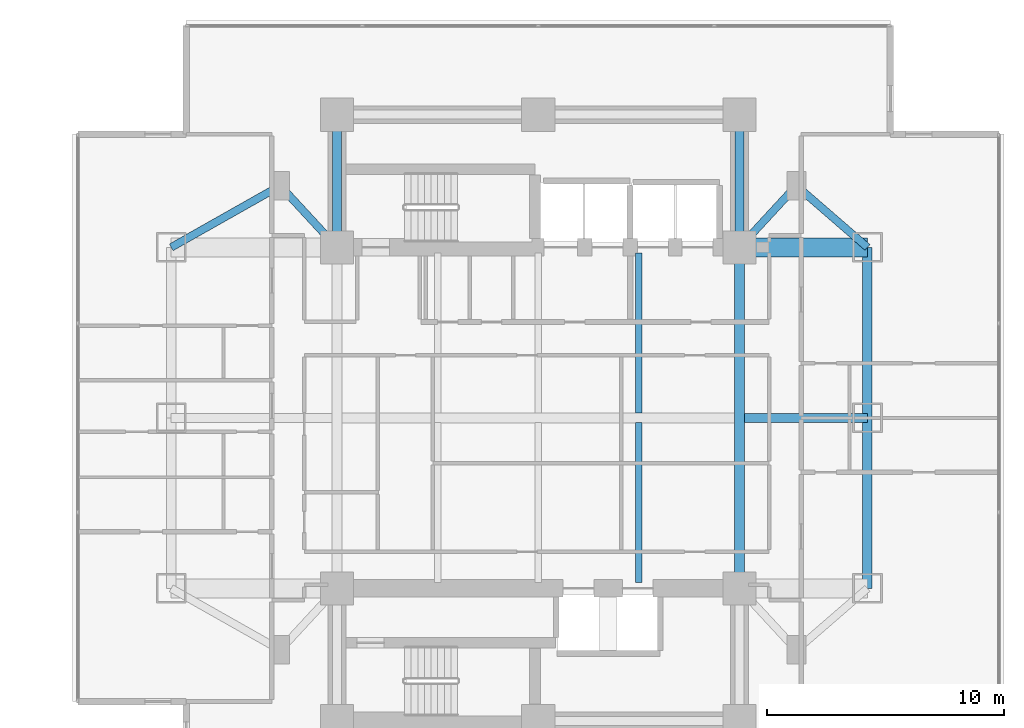
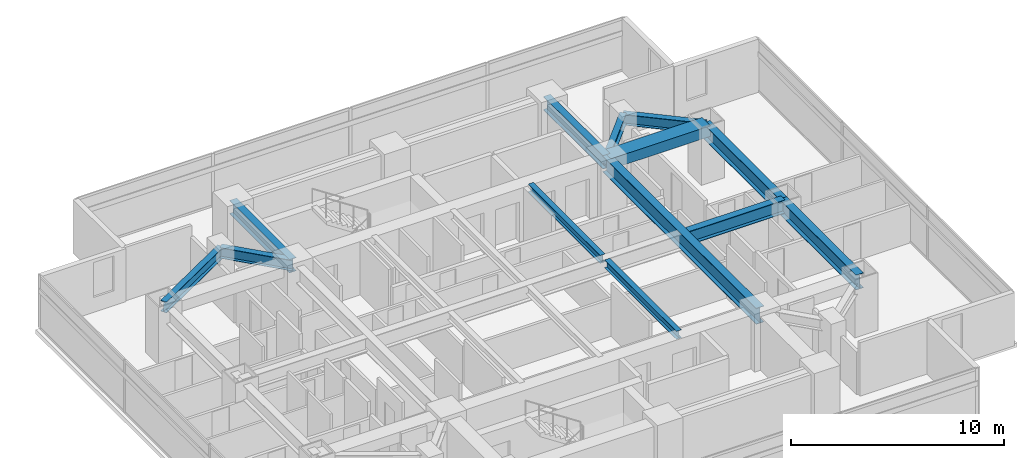
# One storey, part 10 of 26: 13 beams.
"""IFC4 building model written with IfcOpenShell, lengths in metres."""

from ifc_helpers import new_model, si_unit, direction, frame, origin, origin_2d, place, context, subcontext, project, spatial, rectangle, i_section, extrude, material, material_profile, profile_set, type_object, element, save


model = new_model("IFC4")

# Units and contexts
model_context = context("Model", 3, precision=1e-05, world=origin(), true_north=direction((0.0, 1.0)))
body_context = subcontext(model_context, "Body", "Model", "MODEL_VIEW")
ifc_project = project(units=[si_unit("LENGTHUNIT", "METRE"), si_unit("AREAUNIT", "SQUARE_METRE"), si_unit("VOLUMEUNIT", "CUBIC_METRE"), si_unit("PLANEANGLEUNIT", "RADIAN"), si_unit("MASSUNIT", "GRAM", prefix="KILO")], contexts=[model_context])

# Site, building, storey
site_placement = place(None, origin())
site = spatial("IfcSite", under=ifc_project, at=site_placement, CompositionType="ELEMENT")
building_placement = place(site_placement, origin())
building = spatial("IfcBuilding", under=site, at=building_placement, Name="Mirazonda Arch Towers", CompositionType="ELEMENT")
storey_placement = place(building_placement, frame((0.0, 0.0, 45.5)))
storey = spatial("IfcBuildingStorey", under=building, at=storey_placement, Name="L12", CompositionType="ELEMENT", Elevation=45.5)

# Beams
ifc_material_1 = material(Name="Steel ASTM A992 Grade 50", Category="steel")
ifc_material_profile_1 = material_profile(ifc_material_1, i_section(OverallWidth=0.39990234375, OverallDepth=0.85595703125, WebThickness=0.018310546875, FlangeThickness=0.029296875, at=origin_2d()), Name="W33X201")
ifc_profile_set_1 = profile_set([ifc_material_profile_1], Name="Steel ASTM A992 Grade 50")
beam_type_1 = type_object("IfcBeamType", Name="BM-EXT-W33X201", PredefinedType="USERDEFINED", material=ifc_profile_set_1)
for number, where, z_axis, x_axis, name in (
    (1, (90.39990234375, 20.800048828125, 2.632080078125), (0.0, 1.0, 0.0), (-1.0, 0.0, 0.0), "L12 Floor Beam BM-T2-L12-NS-E-20"),
    (2, (90.39990234375, 28.0, 2.632080078125), (0.0, 1.0, 0.0), (-1.0, 0.0, 0.0), "L12 Floor Beam BM-T2-L12-NS-E-28"),
):
    element("IfcBeam", number, at=place(storey_placement, frame(where, z_axis=z_axis, x_axis=x_axis)), inside=storey, type_object=beam_type_1, Name=name, ObjectType="GIRDER", PredefinedType="USERDEFINED", context=body_context, shape_type="SweptSolid", body=[
        extrude(i_section(OverallWidth=0.39990234375, OverallDepth=0.85595703125, WebThickness=0.018310546875, FlangeThickness=0.029296875, at=origin_2d()), origin(), (0.0, 0.0, 1.0), 7.199951171875),
    ])
ifc_material_profile_2 = material_profile(ifc_material_1, i_section(OverallWidth=0.280029296875, OverallDepth=0.462890625, WebThickness=0.0107421875, FlangeThickness=0.017333984375, at=origin_2d()), Name="W18X76")
ifc_profile_set_2 = profile_set([ifc_material_profile_2], Name="Steel ASTM A992 Grade 50")
beam_type_2 = type_object("IfcBeamType", Name="BM-INT-W18X76", PredefinedType="JOIST", material=ifc_profile_set_2)
for number, where, z_axis, x_axis, name in (
    (3, (80.75, 21.0400390625, 2.82861328125), (0.0, 1.0, 0.0), (-1.0, 0.0, 0.0), "L12 Floor Beam BM-T2-L12-J-807-20"),
    (4, (80.75, 28.205078125, 2.82861328125), (0.0, 1.0, 0.0), (-1.0, 0.0, 0.0), "L12 Floor Beam BM-T2-L12-J-807-28"),
):
    element("IfcBeam", number, at=place(storey_placement, frame(where, z_axis=z_axis, x_axis=x_axis)), inside=storey, type_object=beam_type_2, Name=name, PredefinedType="JOIST", context=body_context, shape_type="SweptSolid", body=[
        extrude(i_section(OverallWidth=0.280029296875, OverallDepth=0.462890625, WebThickness=0.0107421875, FlangeThickness=0.017333984375, at=origin_2d()), origin(), (0.0, 0.0, 1.0), 6.7548828125),
    ])
ifc_material_profile_3 = material_profile(ifc_material_1, i_section(OverallWidth=0.324951171875, OverallDepth=0.615966796875, WebThickness=0.013916015625, FlangeThickness=0.021484375, at=origin_2d()), Name="W24X117")
ifc_profile_set_3 = profile_set([ifc_material_profile_3], Name="Steel ASTM A992 Grade 50")
beam_type_3 = type_object("IfcBeamType", Name="BM-INT-W24X117", PredefinedType="BEAM", material=ifc_profile_set_3)
beam_1_placement = place(storey_placement, frame((65.60009765625, 37.800048828125, 2.751953125), z_axis=(0.678251444854, -0.734829897019, 0.0), x_axis=(0.734829897019, 0.678251444854, 0.0)))
element("IfcBeam", 5, at=beam_1_placement, inside=storey, type_object=beam_type_3, Name="L12 Floor Beam BM-T2-L12-PL-NW1", PredefinedType="BEAM", context=body_context, shape_type="SweptSolid", body=[
    extrude(i_section(OverallWidth=0.324951171875, OverallDepth=0.615966796875, WebThickness=0.013916015625, FlangeThickness=0.021484375, at=origin_2d()), origin(), (0.0, 0.0, 1.0), 3.538330078125),
])
beam_2_placement = place(storey_placement, frame((65.60009765625, 37.800048828125, 2.751953125), z_axis=(-0.870559396632, -0.492063346467, 0.0), x_axis=(0.492063346467, -0.870559396632, 0.0)))
element("IfcBeam", 6, at=beam_2_placement, inside=storey, type_object=beam_type_3, Name="L12 Floor Beam BM-T2-L12-PL-NW2", PredefinedType="BEAM", context=body_context, shape_type="SweptSolid", body=[
    extrude(i_section(OverallWidth=0.324951171875, OverallDepth=0.615966796875, WebThickness=0.013916015625, FlangeThickness=0.021484375, at=origin_2d()), origin(), (0.0, 0.0, 1.0), 5.2841796875),
])
beam_3_placement = place(storey_placement, frame((87.39990234375, 37.800048828125, 2.751953125), z_axis=(-0.678251444854, -0.734829897019, 0.0), x_axis=(0.734829897019, -0.678251444854, 0.0)))
element("IfcBeam", 7, at=beam_3_placement, inside=storey, type_object=beam_type_3, Name="L12 Floor Beam BM-T2-L12-PL-NE1", PredefinedType="BEAM", context=body_context, shape_type="SweptSolid", body=[
    extrude(i_section(OverallWidth=0.324951171875, OverallDepth=0.615966796875, WebThickness=0.013916015625, FlangeThickness=0.021484375, at=origin_2d()), origin(), (0.0, 0.0, 1.0), 3.538330078125),
])
beam_4_placement = place(storey_placement, frame((87.39990234375, 37.800048828125, 2.751953125), z_axis=(0.755676908098, -0.654944585876, 0.0), x_axis=(0.654944585876, 0.755676908098, 0.0)))
element("IfcBeam", 8, at=beam_4_placement, inside=storey, type_object=beam_type_3, Name="L12 Floor Beam BM-T2-L12-PL-NE2", PredefinedType="BEAM", context=body_context, shape_type="SweptSolid", body=[
    extrude(i_section(OverallWidth=0.324951171875, OverallDepth=0.615966796875, WebThickness=0.013916015625, FlangeThickness=0.021484375, at=origin_2d()), origin(), (0.0, 0.0, 1.0), 3.969970703125),
])
ifc_material_profile_4 = material_profile(ifc_material_1, i_section(OverallWidth=0.381103515625, OverallDepth=0.77294921875, WebThickness=0.0166015625, FlangeThickness=0.027099609375, at=origin_2d()), Name="W30X173")
ifc_profile_set_4 = profile_set([ifc_material_profile_4], Name="Steel ASTM A992 Grade 50")
beam_type_4 = type_object("IfcBeamType", Name="BM-INT-W30X173", PredefinedType="USERDEFINED", material=ifc_profile_set_4)
for number, where, z_axis, x_axis, name in (
    (9, (68.0, 35.199951171875, 2.673583984375), (0.0, 1.0, 0.0), (-1.0, 0.0, 0.0), "L12 Floor Beam BM-T2-L12-CNW"),
    (10, (85.0, 35.199951171875, 2.673583984375), (0.0, 1.0, 0.0), (-1.0, 0.0, 0.0), "L12 Floor Beam BM-T2-L12-CNE"),
):
    element("IfcBeam", number, at=place(storey_placement, frame(where, z_axis=z_axis, x_axis=x_axis)), inside=storey, type_object=beam_type_4, Name=name, ObjectType="GIRDER", PredefinedType="USERDEFINED", context=body_context, shape_type="SweptSolid", body=[
        extrude(i_section(OverallWidth=0.381103515625, OverallDepth=0.77294921875, WebThickness=0.0166015625, FlangeThickness=0.027099609375, at=origin_2d()), origin(), (0.0, 0.0, 1.0), 5.60009765625),
    ])
beam_5_placement = place(storey_placement, frame((85.208984375, 28.0, 2.673583984375), z_axis=(1.0, 0.0, 0.0), x_axis=(0.0, 1.0, 0.0)))
element("IfcBeam", 11, at=beam_5_placement, inside=storey, type_object=beam_type_4, Name="L12 Floor Beam BM-T2-L12-GE2", ObjectType="GIRDER", PredefinedType="USERDEFINED", context=body_context, shape_type="SweptSolid", body=[
    extrude(i_section(OverallWidth=0.381103515625, OverallDepth=0.77294921875, WebThickness=0.0166015625, FlangeThickness=0.027099609375, at=origin_2d()), origin(), (0.0, 0.0, 1.0), 5.19091796875),
])
ifc_material_profile_5 = material_profile(ifc_material_1, i_section(OverallWidth=0.41796875, OverallDepth=0.927001953125, WebThickness=0.019287109375, FlangeThickness=0.031982421875, at=origin_2d()), Name="W36X231")
ifc_profile_set_5 = profile_set([ifc_material_profile_5], Name="Steel ASTM A992 Grade 50")
beam_type_5 = type_object("IfcBeamType", Name="BM-INT-W36X231", PredefinedType="USERDEFINED", material=ifc_profile_set_5)
beam_6_placement = place(storey_placement, frame((85.0, 20.800048828125, 2.596435546875), z_axis=(0.0, 1.0, 0.0), x_axis=(-1.0, 0.0, 0.0)))
element("IfcBeam", 12, at=beam_6_placement, inside=storey, type_object=beam_type_5, Name="L12 Floor Beam BM-T2-L12-NS-CE-FULL", ObjectType="GIRDER", PredefinedType="USERDEFINED", context=body_context, shape_type="SweptSolid", body=[
    extrude(i_section(OverallWidth=0.41796875, OverallDepth=0.927001953125, WebThickness=0.019287109375, FlangeThickness=0.031982421875, at=origin_2d()), origin(), (0.0, 0.0, 1.0), 14.39990234375),
])
ifc_material_2 = material(Name="Concrete C60/75", Category="concrete")
ifc_material_profile_6 = material_profile(ifc_material_2, rectangle(XDim=0.800048828125, YDim=0.60009765625, at=origin_2d()), Name="RCCB800x600")
ifc_profile_set_6 = profile_set([ifc_material_profile_6], Name="Concrete C60/75")
beam_type_6 = type_object("IfcBeamType", Name="CB-INT-RCCB800x600", PredefinedType="SPANDREL", material=ifc_profile_set_6)
beam_7_placement = place(storey_placement, frame((85.0, 35.199951171875, 2.760009765625), z_axis=(1.0, 0.0, 0.0), x_axis=(0.0, 1.0, 0.0)))
element("IfcBeam", 13, at=beam_7_placement, inside=storey, type_object=beam_type_6, Name="L12 Floor Beam CBC-T2-L12-NE", PredefinedType="SPANDREL", context=body_context, shape_type="SweptSolid", body=[
    extrude(rectangle(XDim=0.800048828125, YDim=0.60009765625, at=origin_2d()), origin(), (0.0, 0.0, 1.0), 5.39990234375),
])

save(model, "model.ifc")
